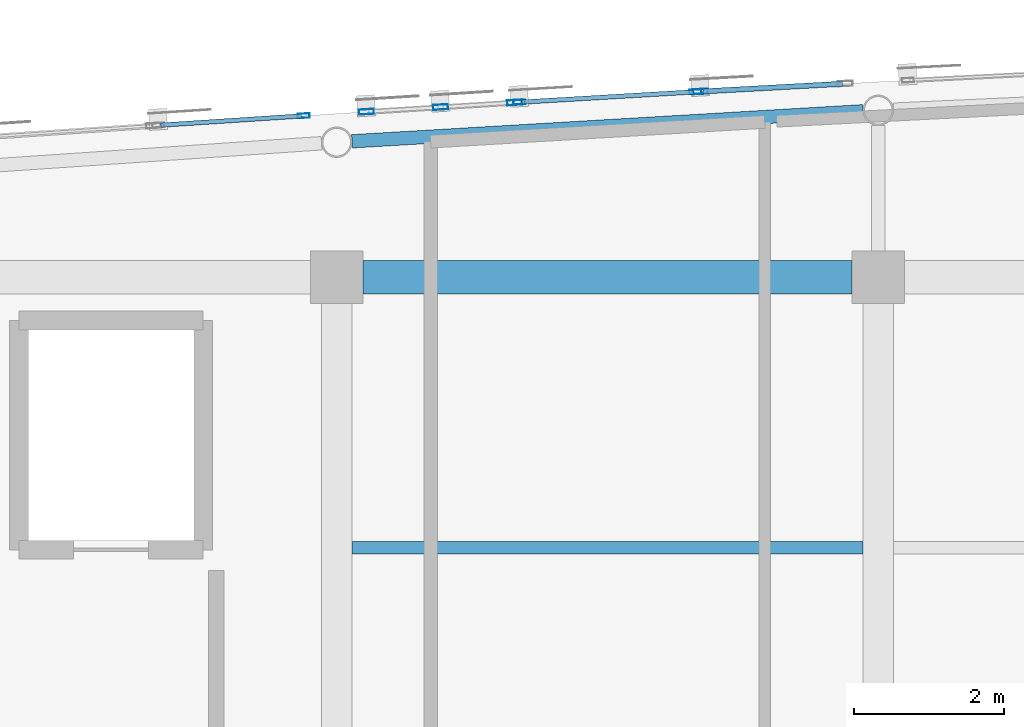
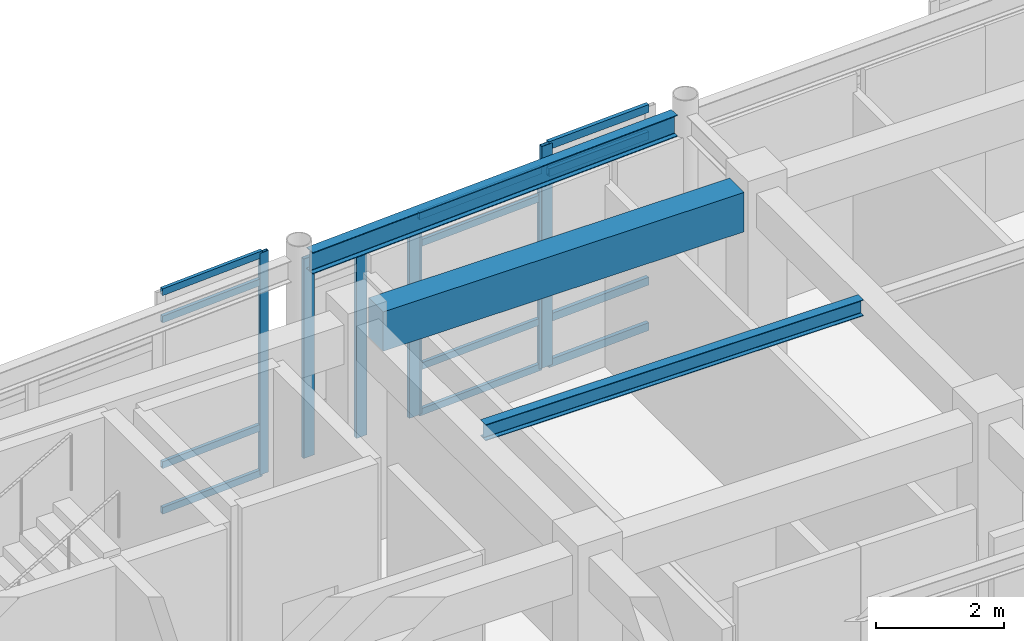
# One storey, part 33 of 106: 19 members, 3 beams, 4 elements without a shape of their own.
"""IFC4 building model written with IfcOpenShell, lengths in metres."""

from ifc_helpers import new_model, si_unit, direction, frame, origin, origin_2d, place, context, subcontext, project, spatial, rectangle, hollow_rectangle, i_section, extrude, material, layer, layer_set, material_profile, profile_set, type_object, element, aggregate, save


model = new_model("IFC4")

# Units and contexts
model_context = context("Model", 3, precision=1e-05, world=origin(), true_north=direction((0.0, 1.0)))
body_context = subcontext(model_context, "Body", "Model", "MODEL_VIEW")
ifc_project = project(units=[si_unit("LENGTHUNIT", "METRE"), si_unit("AREAUNIT", "SQUARE_METRE"), si_unit("VOLUMEUNIT", "CUBIC_METRE"), si_unit("PLANEANGLEUNIT", "RADIAN"), si_unit("MASSUNIT", "GRAM", prefix="KILO")], contexts=[model_context])

# Site, building, storey
site_placement = place(None, origin())
site = spatial("IfcSite", under=ifc_project, at=site_placement, CompositionType="ELEMENT")
building_placement = place(site_placement, origin())
building = spatial("IfcBuilding", under=site, at=building_placement, Name="Carrowvane Square Congress Hotel", CompositionType="ELEMENT")
storey_placement = place(building_placement, frame((0.0, 0.0, 10.5)))
storey = spatial("IfcBuildingStorey", under=building, at=storey_placement, Name="L02", CompositionType="ELEMENT", Elevation=10.5)

# Beams
ifc_material_1 = material(Name="Concrete C35/45", Category="concrete")
ifc_material_profile_1 = material_profile(ifc_material_1, rectangle(XDim=0.449951171875, YDim=0.75, at=origin_2d()), Name="RC 450x750")
ifc_profile_set_1 = profile_set([ifc_material_profile_1], Name="Concrete C35/45")
beam_type_1 = type_object("IfcBeamType", Name="BM-RC-450x750", PredefinedType="USERDEFINED", material=ifc_profile_set_1)
beam_1_placement = place(storey_placement, frame((69.550048828125, 113.39990234375, 3.844970703125), z_axis=(1.0, 0.0, 0.0), x_axis=(0.0, 1.0, 0.0)))
element("IfcBeam", 1, at=beam_1_placement, inside=storey, type_object=beam_type_1, Name="L03 girder R/9-10", ObjectType="GIRDER", PredefinedType="USERDEFINED", context=body_context, shape_type="SweptSolid", body=[
    extrude(rectangle(XDim=0.449951171875, YDim=0.75, at=origin_2d()), origin(), (0.0, 0.0, 1.0), 6.5),
])
ifc_material_2 = material(Name="Steel S355", Category="steel")
ifc_material_profile_2 = material_profile(ifc_material_2, i_section(OverallWidth=0.165771484375, OverallDepth=0.306640625, WebThickness=0.006591796875, FlangeThickness=0.01171875, FilletRadius=0.0087890625, at=origin_2d()), Name="UKB 305x165x46")
ifc_profile_set_2 = profile_set([ifc_material_profile_2], Name="Steel S355")
beam_type_2 = type_object("IfcBeamType", Name="BM-ST-UKB305", PredefinedType="JOIST", material=ifc_profile_set_2)
beam_2_placement = place(storey_placement, frame((69.39990234375, 109.800048828125, 4.066650390625), z_axis=(1.0, 0.0, 0.0), x_axis=(0.0, 1.0, 0.0)))
element("IfcBeam", 2, at=beam_2_placement, inside=storey, type_object=beam_type_2, Name="L03 secondary joist 9-10", PredefinedType="JOIST", context=body_context, shape_type="SweptSolid", body=[
    extrude(i_section(OverallWidth=0.165771484375, OverallDepth=0.306640625, WebThickness=0.006591796875, FlangeThickness=0.01171875, FilletRadius=0.0087890625, at=origin_2d()), origin(), (0.0, 0.0, 1.0), 6.800048828125),
])
ifc_material_3 = material(Name="Steel S355", Category="steel")
ifc_material_profile_3 = material_profile(ifc_material_3, i_section(OverallWidth=0.1787109375, OverallDepth=0.409423828125, WebThickness=0.0087890625, FlangeThickness=0.014404296875, FilletRadius=0.01025390625, at=origin_2d()), Name="UKB 406x178x67")
ifc_profile_set_3 = profile_set([ifc_material_profile_3], Name="Steel S355")
beam_type_3 = type_object("IfcBeamType", Name="BM-ST-UKB406", PredefinedType="BEAM", material=ifc_profile_set_3)
beam_3_placement = place(storey_placement, frame((69.40283203125, 115.206298828125, 4.015380859375), z_axis=(0.998276598904, 0.058684172325, 0.0), x_axis=(-0.058684172325, 0.998276598904, 0.0)))
element("IfcBeam", 3, at=beam_3_placement, inside=storey, type_object=beam_type_3, Name="L03 curved north spandrel", PredefinedType="BEAM", context=body_context, shape_type="SweptSolid", body=[
    extrude(i_section(OverallWidth=0.1787109375, OverallDepth=0.409423828125, WebThickness=0.0087890625, FlangeThickness=0.014404296875, FilletRadius=0.01025390625, at=origin_2d()), origin(), (0.0, 0.0, 1.0), 6.80615234375),
])

# Curtain wall, member
ifc_material_4 = material(Name="Anodised aluminium", Category="aluminium")
ifc_layer_1 = layer(ifc_material_4, 0.23388671875)
ifc_layer_set_1 = layer_set([ifc_layer_1], Name="Anodised aluminium")
curtain_wall_type_1 = type_object("IfcCurtainWallType", Name="CW-SYS-7", PredefinedType="NOTDEFINED", material=ifc_layer_set_1)
curtain_wall_1_placement = place(storey_placement, origin())
curtain_wall_1 = element("IfcCurtainWall", 4, at=curtain_wall_1_placement, inside=storey, type_object=curtain_wall_type_1, Name="L02 unitised curtain wall 142", PredefinedType="NOTDEFINED")
ifc_material_5 = material(Name="Anodised aluminium", Category="aluminium")
ifc_material_profile_4 = material_profile(ifc_material_5, hollow_rectangle(XDim=0.06005859375, YDim=0.159912109375, WallThickness=0.00390625, at=origin_2d()), Name="CW-ML 60x160x4")
ifc_profile_set_4 = profile_set([ifc_material_profile_4], Name="Anodised aluminium")
member_type_1 = type_object("IfcMemberType", Name="CW-MUL-1", PredefinedType="MULLION", material=ifc_profile_set_4)
member_1_placement = place(storey_placement, frame((68.761474609375, 115.545654296875, 0.0), z_axis=(0.0, 0.0, 1.0), x_axis=(-0.065412223074, 0.997858327155, 0.0)))
member_1 = element("IfcMember", 5, at=member_1_placement, type_object=member_type_1, Name="CW-7 mullion 2", PredefinedType="MULLION", context=body_context, shape_type="SweptSolid", body=[
    extrude(hollow_rectangle(XDim=0.06005859375, YDim=0.159912109375, WallThickness=0.00390625, at=origin_2d()), origin(), (0.0, 0.0, 1.0), 4.219970703125),
])

# Curtain wall, members
ifc_material_6 = material(Name="Anodised aluminium", Category="aluminium")
ifc_layer_2 = layer(ifc_material_6, 0.162109375)
ifc_layer_set_2 = layer_set([ifc_layer_2], Name="Anodised aluminium")
curtain_wall_type_2 = type_object("IfcCurtainWallType", Name="CW-SYS-1", PredefinedType="NOTDEFINED", material=ifc_layer_set_2)
curtain_wall_2_placement = place(storey_placement, origin())
curtain_wall_2 = element("IfcCurtainWall", 6, at=curtain_wall_2_placement, inside=storey, type_object=curtain_wall_type_2, Name="L02 unitised curtain wall 144", PredefinedType="NOTDEFINED")
member_2_placement = place(storey_placement, frame((71.6298828125, 115.72607421875, 0.0), z_axis=(0.0, 0.0, 1.0), x_axis=(-0.058851249486, 0.998266763162, 0.0)))
member_2 = element("IfcMember", 7, at=member_2_placement, type_object=member_type_1, Name="CW-1 mullion 1", PredefinedType="MULLION", context=body_context, shape_type="SweptSolid", body=[
    extrude(hollow_rectangle(XDim=0.06005859375, YDim=0.159912109375, WallThickness=0.00390625, at=origin_2d()), origin(), (0.0, 0.0, 1.0), 3.795654296875),
])
member_3_placement = place(storey_placement, frame((73.969970703125, 115.864013671875, 0.0), z_axis=(0.0, 0.0, 1.0), x_axis=(-0.058851249486, 0.998266763162, 0.0)))
member_3 = element("IfcMember", 8, at=member_3_placement, type_object=member_type_1, Name="CW-1 mullion 2", PredefinedType="MULLION", context=body_context, shape_type="SweptSolid", body=[
    extrude(hollow_rectangle(XDim=0.06005859375, YDim=0.159912109375, WallThickness=0.00390625, at=origin_2d()), origin(), (0.0, 0.0, 1.0), 3.795654296875),
])

ifc_material_7 = material(Name="Anodised aluminium", Category="aluminium")
ifc_layer_3 = layer(ifc_material_7, 0.24609375)
ifc_layer_set_3 = layer_set([ifc_layer_3], Name="Anodised aluminium")
curtain_wall_type_3 = type_object("IfcCurtainWallType", Name="CW-SYS-8", PredefinedType="NOTDEFINED", material=ifc_layer_set_3)
curtain_wall_3_placement = place(storey_placement, origin())
curtain_wall_3 = element("IfcCurtainWall", 9, at=curtain_wall_3_placement, inside=storey, type_object=curtain_wall_type_3, Name="L02 unitised curtain wall 143", PredefinedType="NOTDEFINED")
ifc_material_8 = material(Name="Anodised aluminium", Category="aluminium")
ifc_material_profile_5 = material_profile(ifc_material_8, hollow_rectangle(XDim=0.070068359375, YDim=0.199951171875, WallThickness=0.0048828125, at=origin_2d()), Name="CW-ML 70x200x5")
ifc_profile_set_5 = profile_set([ifc_material_profile_5], Name="Anodised aluminium")
member_type_2 = type_object("IfcMemberType", Name="CW-MUL-2", PredefinedType="MULLION", material=ifc_profile_set_5)
member_4_placement = place(storey_placement, frame((69.594970703125, 115.598876953125, 0.0), z_axis=(0.0, 0.0, 1.0), x_axis=(-0.062397474952, 0.998051378998, 0.0)))
member_4 = element("IfcMember", 10, at=member_4_placement, type_object=member_type_2, Name="CW-8 mullion 1", PredefinedType="MULLION", context=body_context, shape_type="SweptSolid", body=[
    extrude(hollow_rectangle(XDim=0.070068359375, YDim=0.199951171875, WallThickness=0.0048828125, at=origin_2d()), origin(), (0.0, 0.0, 1.0), 3.795654296875),
])
member_5_placement = place(storey_placement, frame((70.580078125, 115.66064453125, 0.0), z_axis=(0.0, 0.0, 1.0), x_axis=(-0.062397474952, 0.998051378998, 0.0)))
member_5 = element("IfcMember", 11, at=member_5_placement, type_object=member_type_2, Name="CW-8 mullion 2", PredefinedType="MULLION", context=body_context, shape_type="SweptSolid", body=[
    extrude(hollow_rectangle(XDim=0.070068359375, YDim=0.199951171875, WallThickness=0.0048828125, at=origin_2d()), origin(), (0.0, 0.0, 1.0), 3.795654296875),
])
member_6_placement = place(storey_placement, frame((71.565185546875, 115.72216796875, 0.0), z_axis=(0.0, 0.0, 1.0), x_axis=(-0.062397474952, 0.998051378998, 0.0)))
member_6 = element("IfcMember", 12, at=member_6_placement, type_object=member_type_2, Name="CW-8 mullion 3", PredefinedType="MULLION", context=body_context, shape_type="SweptSolid", body=[
    extrude(hollow_rectangle(XDim=0.070068359375, YDim=0.199951171875, WallThickness=0.0048828125, at=origin_2d()), origin(), (0.0, 0.0, 1.0), 3.795654296875),
])
aggregate(curtain_wall_3, [member_4, member_5, member_6])

# Curtain wall, member
ifc_material_9 = material(Name="Anodised aluminium", Category="aluminium")
ifc_layer_4 = layer(ifc_material_9, 0.174072265625)
ifc_layer_set_4 = layer_set([ifc_layer_4], Name="Anodised aluminium")
curtain_wall_type_4 = type_object("IfcCurtainWallType", Name="CW-SYS-2", PredefinedType="NOTDEFINED", material=ifc_layer_set_4)
curtain_wall_4_placement = place(storey_placement, origin())
curtain_wall_4 = element("IfcCurtainWall", 13, at=curtain_wall_4_placement, inside=storey, type_object=curtain_wall_type_4, Name="L02 unitised curtain wall 145", PredefinedType="NOTDEFINED")
member_7_placement = place(storey_placement, frame((74.034912109375, 115.86767578125, 0.0), z_axis=(0.0, 0.0, 1.0), x_axis=(-0.054815980317, 0.998496473856, 0.0)))
member_7 = element("IfcMember", 14, at=member_7_placement, type_object=member_type_2, Name="CW-2 mullion 1", PredefinedType="MULLION", context=body_context, shape_type="SweptSolid", body=[
    extrude(hollow_rectangle(XDim=0.070068359375, YDim=0.199951171875, WallThickness=0.0048828125, at=origin_2d()), origin(), (0.0, 0.0, 1.0), 4.219970703125),
])

# Member
ifc_material_10 = material(Name="Anodised aluminium", Category="aluminium")
ifc_material_profile_6 = material_profile(ifc_material_10, hollow_rectangle(XDim=0.06005859375, YDim=0.1298828125, WallThickness=0.00390625, at=origin_2d()), Name="CW-TR 60x130x4")
ifc_profile_set_6 = profile_set([ifc_material_profile_6], Name="Anodised aluminium")
member_type_3 = type_object("IfcMemberType", Name="CW-TRN-1", PredefinedType="USERDEFINED", material=ifc_profile_set_6)
member_8_placement = place(storey_placement, frame((66.85986328125, 115.4208984375, 0.030029296875), z_axis=(0.997854858908, 0.065465109434, 0.0), x_axis=(-0.065465109434, 0.997854858908, 0.0)))
member_8 = element("IfcMember", 15, at=member_8_placement, type_object=member_type_3, Name="CW-7 transom 1.1", ObjectType="TRANSOM", PredefinedType="USERDEFINED", context=body_context, shape_type="SweptSolid", body=[
    extrude(hollow_rectangle(XDim=0.06005859375, YDim=0.1298828125, WallThickness=0.00390625, at=origin_2d()), origin(), (0.0, 0.0, 1.0), 1.875732421875),
])

member_9_placement = place(storey_placement, frame((66.85986328125, 115.4208984375, 0.89990234375), z_axis=(0.997854858908, 0.065465109434, 0.0), x_axis=(-0.065465109434, 0.997854858908, 0.0)))
member_9 = element("IfcMember", 16, at=member_9_placement, type_object=member_type_3, Name="CW-7 transom 1.2", ObjectType="TRANSOM", PredefinedType="USERDEFINED", context=body_context, shape_type="SweptSolid", body=[
    extrude(hollow_rectangle(XDim=0.06005859375, YDim=0.1298828125, WallThickness=0.00390625, at=origin_2d()), origin(), (0.0, 0.0, 1.0), 1.875732421875),
])

member_10_placement = place(storey_placement, frame((66.85986328125, 115.4208984375, 3.669921875), z_axis=(0.997854858908, 0.065465109434, 0.0), x_axis=(-0.065465109434, 0.997854858908, 0.0)))
member_10 = element("IfcMember", 17, at=member_10_placement, type_object=member_type_3, Name="CW-7 transom 1.3", ObjectType="TRANSOM", PredefinedType="USERDEFINED", context=body_context, shape_type="SweptSolid", body=[
    extrude(hollow_rectangle(XDim=0.06005859375, YDim=0.1298828125, WallThickness=0.00390625, at=origin_2d()), origin(), (0.0, 0.0, 1.0), 1.875732421875),
])

member_11_placement = place(storey_placement, frame((66.85986328125, 115.4208984375, 4.18994140625), z_axis=(0.997854858908, 0.065465109434, 0.0), x_axis=(-0.065465109434, 0.997854858908, 0.0)))
member_11 = element("IfcMember", 18, at=member_11_placement, type_object=member_type_3, Name="CW-7 transom 1.4", ObjectType="TRANSOM", PredefinedType="USERDEFINED", context=body_context, shape_type="SweptSolid", body=[
    extrude(hollow_rectangle(XDim=0.06005859375, YDim=0.1298828125, WallThickness=0.00390625, at=origin_2d()), origin(), (0.0, 0.0, 1.0), 1.875732421875),
])

aggregate(curtain_wall_1, [member_1, member_8, member_9, member_10, member_11])

member_12_placement = place(storey_placement, frame((71.659912109375, 115.727783203125, 0.030029296875), z_axis=(0.998264407893, 0.058891187232, 0.0), x_axis=(-0.058891187232, 0.998264407893, 0.0)))
member_12 = element("IfcMember", 19, at=member_12_placement, type_object=member_type_3, Name="CW-1 transom 1.1", ObjectType="TRANSOM", PredefinedType="USERDEFINED", context=body_context, shape_type="SweptSolid", body=[
    extrude(hollow_rectangle(XDim=0.06005859375, YDim=0.1298828125, WallThickness=0.00390625, at=origin_2d()), origin(), (0.0, 0.0, 1.0), 2.2841796875),
])

member_13_placement = place(storey_placement, frame((71.659912109375, 115.727783203125, 0.89990234375), z_axis=(0.998264407893, 0.058891187232, 0.0), x_axis=(-0.058891187232, 0.998264407893, 0.0)))
member_13 = element("IfcMember", 20, at=member_13_placement, type_object=member_type_3, Name="CW-1 transom 1.2", ObjectType="TRANSOM", PredefinedType="USERDEFINED", context=body_context, shape_type="SweptSolid", body=[
    extrude(hollow_rectangle(XDim=0.06005859375, YDim=0.1298828125, WallThickness=0.00390625, at=origin_2d()), origin(), (0.0, 0.0, 1.0), 2.2841796875),
])

member_14_placement = place(storey_placement, frame((71.659912109375, 115.727783203125, 3.24560546875), z_axis=(0.998264407893, 0.058891187232, 0.0), x_axis=(-0.058891187232, 0.998264407893, 0.0)))
member_14 = element("IfcMember", 21, at=member_14_placement, type_object=member_type_3, Name="CW-1 transom 1.3", ObjectType="TRANSOM", PredefinedType="USERDEFINED", context=body_context, shape_type="SweptSolid", body=[
    extrude(hollow_rectangle(XDim=0.06005859375, YDim=0.1298828125, WallThickness=0.00390625, at=origin_2d()), origin(), (0.0, 0.0, 1.0), 2.2841796875),
])

member_15_placement = place(storey_placement, frame((71.659912109375, 115.727783203125, 3.765625), z_axis=(0.998264407893, 0.058891187232, 0.0), x_axis=(-0.058891187232, 0.998264407893, 0.0)))
member_15 = element("IfcMember", 22, at=member_15_placement, type_object=member_type_3, Name="CW-1 transom 1.4", ObjectType="TRANSOM", PredefinedType="USERDEFINED", context=body_context, shape_type="SweptSolid", body=[
    extrude(hollow_rectangle(XDim=0.06005859375, YDim=0.1298828125, WallThickness=0.00390625, at=origin_2d()), origin(), (0.0, 0.0, 1.0), 2.2841796875),
])

aggregate(curtain_wall_2, [member_2, member_3, member_12, member_13, member_14, member_15])

ifc_material_11 = material(Name="Anodised aluminium", Category="aluminium")
ifc_material_profile_7 = material_profile(ifc_material_11, hollow_rectangle(XDim=0.070068359375, YDim=0.14990234375, WallThickness=0.0048828125, at=origin_2d()), Name="CW-TR 70x150x5")
ifc_profile_set_7 = profile_set([ifc_material_profile_7], Name="Anodised aluminium")
member_type_4 = type_object("IfcMemberType", Name="CW-TRN-2", PredefinedType="USERDEFINED", material=ifc_profile_set_7)
member_16_placement = place(storey_placement, frame((74.06982421875, 115.86962890625, 0.034912109375), z_axis=(0.998498512711, 0.054778829075, 0.0), x_axis=(-0.054778829075, 0.998498512711, 0.0)))
member_16 = element("IfcMember", 23, at=member_16_placement, type_object=member_type_4, Name="CW-2 transom 1.1", ObjectType="TRANSOM", PredefinedType="USERDEFINED", context=body_context, shape_type="SweptSolid", body=[
    extrude(hollow_rectangle(XDim=0.070068359375, YDim=0.14990234375, WallThickness=0.0048828125, at=origin_2d()), origin(), (0.0, 0.0, 1.0), 1.8583984375),
])

member_17_placement = place(storey_placement, frame((74.06982421875, 115.86962890625, 0.89990234375), z_axis=(0.998498512711, 0.054778829075, 0.0), x_axis=(-0.054778829075, 0.998498512711, 0.0)))
member_17 = element("IfcMember", 24, at=member_17_placement, type_object=member_type_4, Name="CW-2 transom 1.2", ObjectType="TRANSOM", PredefinedType="USERDEFINED", context=body_context, shape_type="SweptSolid", body=[
    extrude(hollow_rectangle(XDim=0.070068359375, YDim=0.14990234375, WallThickness=0.0048828125, at=origin_2d()), origin(), (0.0, 0.0, 1.0), 1.8583984375),
])

member_18_placement = place(storey_placement, frame((74.06982421875, 115.86962890625, 3.669921875), z_axis=(0.998498512711, 0.054778829075, 0.0), x_axis=(-0.054778829075, 0.998498512711, 0.0)))
member_18 = element("IfcMember", 25, at=member_18_placement, type_object=member_type_4, Name="CW-2 transom 1.3", ObjectType="TRANSOM", PredefinedType="USERDEFINED", context=body_context, shape_type="SweptSolid", body=[
    extrude(hollow_rectangle(XDim=0.070068359375, YDim=0.14990234375, WallThickness=0.0048828125, at=origin_2d()), origin(), (0.0, 0.0, 1.0), 1.8583984375),
])

member_19_placement = place(storey_placement, frame((74.06982421875, 115.86962890625, 4.18505859375), z_axis=(0.998498512711, 0.054778829075, 0.0), x_axis=(-0.054778829075, 0.998498512711, 0.0)))
member_19 = element("IfcMember", 26, at=member_19_placement, type_object=member_type_4, Name="CW-2 transom 1.4", ObjectType="TRANSOM", PredefinedType="USERDEFINED", context=body_context, shape_type="SweptSolid", body=[
    extrude(hollow_rectangle(XDim=0.070068359375, YDim=0.14990234375, WallThickness=0.0048828125, at=origin_2d()), origin(), (0.0, 0.0, 1.0), 1.8583984375),
])

aggregate(curtain_wall_4, [member_7, member_16, member_17, member_18, member_19])

save(model, "model.ifc")
